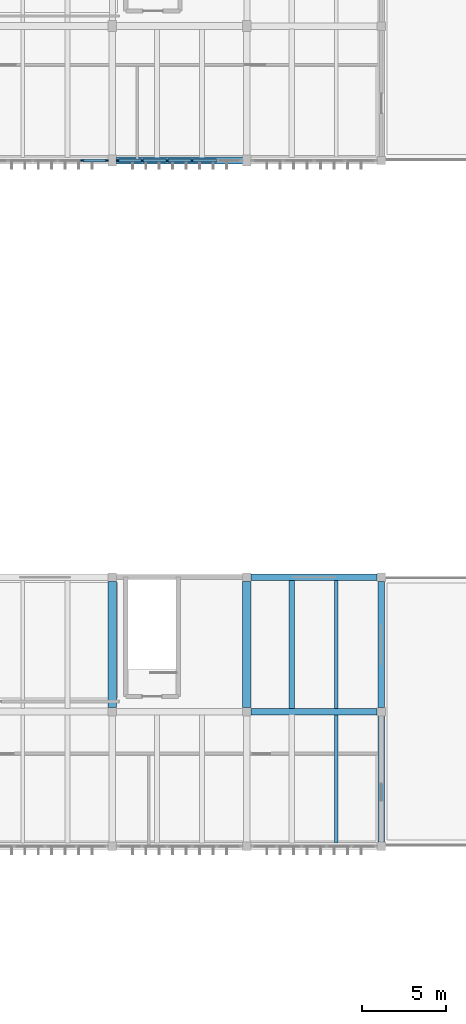
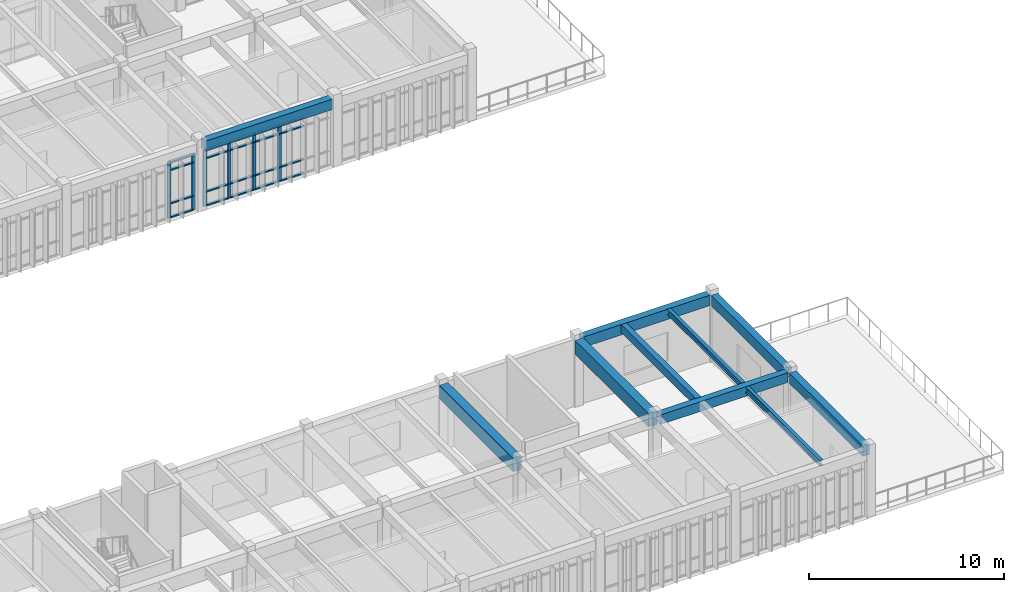
# One storey, part 28 of 72: 26 members, 10 beams, 2 elements without a shape of their own.
"""IFC4 building model written with IfcOpenShell, lengths in metres."""

import ifcopenshell
import ifcopenshell.guid

model = None  # the IFC model being written
_history = None  # IfcOwnerHistory: only IFC2X3 demands one
_inside = {}  # id of a spatial element -> (the spatial element, [elements in it])
_under = {}  # id of a project, library or spatial element -> (it, [spatial elements below it])
_declared = {}  # id of a project -> (the project, [libraries it declares])
_typed = {}  # id of a type object -> (the type object, [elements of that type])
_made_of = {}  # id of a material, layer set ... -> (it, [elements and type objects made of it])


def new_model(schema):
    """Start an empty IFC model of exactly this schema.

    Asked for "IFC4X3", IfcOpenShell would pick the latest addendum, in which some entities
    have other attributes; the version numbers below select the first issue.
    IFC2X3 requires an IfcOwnerHistory on every rooted entity: one is made here for all.
    """
    global model, _history
    if schema == "IFC4X3":
        model = ifcopenshell.file(schema_version=(4, 3, 0, 0))
    else:
        model = ifcopenshell.file(schema=schema)
    _inside.clear()
    _under.clear()
    _declared.clear()
    _typed.clear()
    _made_of.clear()
    _history = None
    if model.schema == "IFC2X3":
        org = make("IfcOrganization", Name="unknown")
        user = make(
            "IfcPersonAndOrganization",
            ThePerson=make("IfcPerson", FamilyName="unknown"),
            TheOrganization=org,
        )
        app = make(
            "IfcApplication",
            ApplicationDeveloper=org,
            Version="unknown",
            ApplicationFullName="unknown",
            ApplicationIdentifier="unknown",
        )
        _history = make(
            "IfcOwnerHistory",
            OwningUser=user,
            OwningApplication=app,
            ChangeAction="ADDED",
            CreationDate=0,
        )
    return model


def make(cls, **values):
    """One entity of the class cls with the attributes given. An attribute that is None is left unset."""
    return model.create_entity(
        cls, **{name: value for name, value in values.items() if value is not None}
    )


def rooted(cls, **values):
    """An entity with a GlobalId (a new one), such as an element, a storey or a relation."""
    return make(cls, GlobalId=ifcopenshell.guid.new(), OwnerHistory=_history, **values)


def si_unit(unit_type, name, prefix=None):
    """IfcSIUnit, for example si_unit("LENGTHUNIT", "METRE", prefix="MILLI")."""
    return make("IfcSIUnit", UnitType=unit_type, Prefix=prefix, Name=name)


def assignment(units):
    """IfcUnitAssignment: the units of a project."""
    return None if units is None else make("IfcUnitAssignment", Units=units)


def point(xyz):
    """IfcCartesianPoint."""
    return None if xyz is None else make("IfcCartesianPoint", Coordinates=xyz)


def direction(xyz):
    """IfcDirection."""
    return None if xyz is None else make("IfcDirection", DirectionRatios=xyz)


def frame(location, z_axis=None, x_axis=None):
    """IfcAxis2Placement3D, a coordinate frame: its origin and axes. An axis left out is left unset."""
    return make(
        "IfcAxis2Placement3D",
        Location=point(location),
        Axis=direction(z_axis),
        RefDirection=direction(x_axis),
    )


def frame_2d(location, x_axis=None):
    """IfcAxis2Placement2D, a coordinate frame in the plane: its origin and x axis."""
    return make(
        "IfcAxis2Placement2D", Location=point(location), RefDirection=direction(x_axis)
    )


def origin():
    """The frame at (0, 0, 0) with its axes left unset."""
    return frame((0.0, 0.0, 0.0))


def origin_2d():
    """The frame at (0, 0) in the plane with its x axis left unset."""
    return frame_2d((0.0, 0.0))


def place(relative_to, where):
    """IfcLocalPlacement: puts the frame where relative to a parent placement (None: the world)."""
    return make(
        "IfcLocalPlacement", PlacementRelTo=relative_to, RelativePlacement=where
    )


def context(
    kind, dimensions, precision=None, world=None, true_north=None, identifier=None
):
    """IfcGeometricRepresentationContext, for example the 3D "Model" context."""
    return make(
        "IfcGeometricRepresentationContext",
        ContextIdentifier=identifier,
        ContextType=kind,
        CoordinateSpaceDimension=dimensions,
        Precision=precision,
        WorldCoordinateSystem=world,
        TrueNorth=true_north,
    )


def subcontext(parent, identifier, kind, view, scale=None):
    """IfcGeometricRepresentationSubContext, for example "Body" below "Model"."""
    return make(
        "IfcGeometricRepresentationSubContext",
        ContextIdentifier=identifier,
        ContextType=kind,
        ParentContext=parent,
        TargetScale=scale,
        TargetView=view,
    )


def project(units=None, contexts=None):
    """IfcProject with its units and contexts."""
    return rooted(
        "IfcProject",
        Name="project",
        RepresentationContexts=contexts,
        UnitsInContext=assignment(units),
    )


def spatial(cls, under=None, at=None, **own):
    """A site, building, storey or space (cls), placed at a placement, below another one or the project."""
    s = rooted(cls, ObjectPlacement=at, **own)
    if under is not None:
        _under.setdefault(under.id(), (under, []))[1].append(s)
    return s


def profile(cls, at=None, kind="AREA", **sizes):
    """A parametric profile (cls). Its sizes go by their IFC names, for example OverallWidth=200.0."""
    return make(cls, ProfileType=kind, Position=at, **sizes)


def rectangle(**sizes):
    """IfcRectangleProfileDef."""
    return profile("IfcRectangleProfileDef", **sizes)


def i_section(**sizes):
    """IfcIShapeProfileDef."""
    return profile("IfcIShapeProfileDef", **sizes)


def extrude(swept, where, along, depth):
    """IfcExtrudedAreaSolid: the profile swept, set in the frame where, extruded along a direction by depth."""
    return make(
        "IfcExtrudedAreaSolid",
        SweptArea=swept,
        Position=where,
        ExtrudedDirection=direction(along),
        Depth=depth,
    )


def shape(context_of_items, identifier, shape_type, items):
    """IfcShapeRepresentation: the items that make up one representation, for example the "Body"."""
    return make(
        "IfcShapeRepresentation",
        ContextOfItems=context_of_items,
        RepresentationIdentifier=identifier,
        RepresentationType=shape_type,
        Items=items,
    )


def material(Name=None, Category=None):
    """IfcMaterial."""
    return make("IfcMaterial", Name=Name, Category=Category)


def material_profile(
    of_material, cross_section, Name=None, Category=None, Priority=None
):
    """IfcMaterialProfile: a cross section and its material."""
    return make(
        "IfcMaterialProfile",
        Name=Name,
        Material=of_material,
        Profile=cross_section,
        Priority=Priority,
        Category=Category,
    )


def profile_set(profiles, Name=None, composite=None):
    """IfcMaterialProfileSet."""
    return make(
        "IfcMaterialProfileSet",
        Name=Name,
        MaterialProfiles=profiles,
        CompositeProfile=composite,
    )


def made_of(thing, what):
    """Note that an element or type object is made of a material, layer set ...; save() writes the relation."""
    if what is not None:
        _made_of.setdefault(what.id(), (what, []))[1].append(thing)
    return thing


def type_object(cls, material=None, **own):
    """A type object (cls), such as IfcWallType, which elements share."""
    return made_of(rooted(cls, **own), material)


def element(
    cls,
    number,
    at=None,
    inside=None,
    cuts=None,
    type_object=None,
    material=None,
    context=None,
    identifier="Body",
    shape_type=None,
    held_by="IfcProductDefinitionShape",
    body=None,
    shapes=None,
    **own,
):
    """One element of the class cls, such as IfcWall. Its Tag is "e" and its number.

    at: its placement. inside: the storey or other place that contains it. cuts: it is an
    opening in that element (IfcRelVoidsElement). A single representation is given by context,
    identifier, shape_type and body (its items); several are given by shapes. held_by: the class
    of the entity that holds the representations. save() writes the other relations.
    """
    e = rooted(cls, Tag="e%d" % number, ObjectPlacement=at, **own)
    if body is not None:
        shapes = [shape(context, identifier, shape_type, body)]
    if shapes is not None:
        e.Representation = make(held_by, Representations=shapes)
    if inside is not None:
        _inside.setdefault(inside.id(), (inside, []))[1].append(e)
    if cuts is not None:
        rooted(
            "IfcRelVoidsElement", RelatingBuildingElement=cuts, RelatedOpeningElement=e
        )
    if type_object is not None:
        _typed.setdefault(type_object.id(), (type_object, []))[1].append(e)
    return made_of(e, material)


def aggregate(whole, parts):
    """IfcRelAggregates: a whole, such as a stair, and the parts it consists of."""
    return rooted("IfcRelAggregates", RelatingObject=whole, RelatedObjects=parts)


def save(model, path):
    """Write the relations noted so far, then the file.

    IfcRelAggregates (storeys below a building ...), IfcRelContainedInSpatialStructure (elements
    in a storey), IfcRelDefinesByType, IfcRelAssociatesMaterial and IfcRelDeclares: one each for
    every whole, place, type object, material and project.
    """
    for whole, parts in _under.values():
        aggregate(whole, parts)
    for where, things in _inside.values():
        rooted(
            "IfcRelContainedInSpatialStructure",
            RelatedElements=things,
            RelatingStructure=where,
        )
    for kind, things in _typed.values():
        rooted("IfcRelDefinesByType", RelatedObjects=things, RelatingType=kind)
    for what, things in _made_of.values():
        rooted("IfcRelAssociatesMaterial", RelatedObjects=things, RelatingMaterial=what)
    for by, libraries in _declared.values():
        rooted("IfcRelDeclares", RelatingContext=by, RelatedDefinitions=libraries)
    model.write(path)


model = new_model("IFC4")

# Units and contexts
model_context = context("Model", 3, precision=1e-05, world=origin(), true_north=direction((0.0, 1.0)))
body_context = subcontext(model_context, "Body", "Model", "MODEL_VIEW")
ifc_project = project(units=[si_unit("LENGTHUNIT", "METRE"), si_unit("AREAUNIT", "SQUARE_METRE"), si_unit("VOLUMEUNIT", "CUBIC_METRE"), si_unit("PLANEANGLEUNIT", "RADIAN"), si_unit("MASSUNIT", "GRAM", prefix="KILO")], contexts=[model_context])

# Site, building, storey
site_placement = place(None, origin())
site = spatial("IfcSite", under=ifc_project, at=site_placement, CompositionType="ELEMENT")
building_placement = place(site_placement, origin())
building = spatial("IfcBuilding", under=site, at=building_placement, Name="Tlaxcora Railside Police Headquarters", CompositionType="ELEMENT")
storey_placement = place(building_placement, frame((0.0, 0.0, 13.5)))
storey = spatial("IfcBuildingStorey", under=building, at=storey_placement, Name="L03", CompositionType="ELEMENT", Elevation=13.5)

# Curtain wall, members
ifc_material_1 = material(Name="Thermally broken low-E insulated glazing", Category="glass")
curtain_wall_type_1 = type_object("IfcCurtainWallType", Name="Unitised Curtain Wall Assembly CW-38", PredefinedType="NOTDEFINED", material=ifc_material_1)
curtain_wall_1_placement = place(storey_placement, origin())
curtain_wall_1 = element("IfcCurtainWall", 1, at=curtain_wall_1_placement, inside=storey, type_object=curtain_wall_type_1, Name="V6 L03 curtain wall 165", PredefinedType="NOTDEFINED")
ifc_material_2 = material(Name="Anodised aluminium framing", Category="aluminium")
ifc_material_profile_1 = material_profile(ifc_material_2, rectangle(XDim=0.074951171875, YDim=0.205078125, at=origin_2d()), Name="AL75X205")
ifc_profile_set_1 = profile_set([ifc_material_profile_1], Name="Anodised aluminium framing")
member_type_1 = type_object("IfcMemberType", Name="Curtain Wall Mullion CW-32", PredefinedType="MULLION", material=ifc_profile_set_1)
member_1_placement = place(storey_placement, frame((133.02001953125, 76.800048828125, 0.0), z_axis=(0.0, 0.0, 1.0), x_axis=(0.0, 1.0, 0.0)))
member_1 = element("IfcMember", 2, at=member_1_placement, type_object=member_type_1, Name="CW mullion 5", PredefinedType="MULLION", context=body_context, shape_type="SweptSolid", body=[
    extrude(rectangle(XDim=0.074951171875, YDim=0.205078125, at=origin_2d()), origin(), (0.0, 0.0, 1.0), 3.52001953125),
])
member_2_placement = place(storey_placement, frame((134.46240234375, 76.800048828125, 0.0), z_axis=(0.0, 0.0, 1.0), x_axis=(0.0, 1.0, 0.0)))
member_2 = element("IfcMember", 3, at=member_2_placement, type_object=member_type_1, Name="CW mullion 6", PredefinedType="MULLION", context=body_context, shape_type="SweptSolid", body=[
    extrude(rectangle(XDim=0.074951171875, YDim=0.205078125, at=origin_2d()), origin(), (0.0, 0.0, 1.0), 3.52001953125),
])

curtain_wall_type_2 = type_object("IfcCurtainWallType", Name="Unitised Curtain Wall Assembly CW-15", PredefinedType="NOTDEFINED", material=ifc_material_1)
curtain_wall_2_placement = place(storey_placement, origin())
curtain_wall_2 = element("IfcCurtainWall", 4, at=curtain_wall_2_placement, inside=storey, type_object=curtain_wall_type_2, Name="V6 L03 curtain wall 166", PredefinedType="NOTDEFINED")
ifc_material_profile_2 = material_profile(ifc_material_2, rectangle(XDim=0.074951171875, YDim=0.199951171875, at=origin_2d()), Name="AL75X200")
ifc_profile_set_2 = profile_set([ifc_material_profile_2], Name="Anodised aluminium framing")
member_type_2 = type_object("IfcMemberType", Name="Curtain Wall Mullion CW-58", PredefinedType="MULLION", material=ifc_profile_set_2)
member_3_placement = place(storey_placement, frame((135.137451171875, 76.800048828125, 0.0), z_axis=(0.0, 0.0, 1.0), x_axis=(0.0, 1.0, 0.0)))
member_3 = element("IfcMember", 5, at=member_3_placement, type_object=member_type_2, Name="CW mullion 1", PredefinedType="MULLION", context=body_context, shape_type="SweptSolid", body=[
    extrude(rectangle(XDim=0.074951171875, YDim=0.199951171875, at=origin_2d()), origin(), (0.0, 0.0, 1.0), 3.52001953125),
])
member_4_placement = place(storey_placement, frame((136.580078125, 76.800048828125, 0.0), z_axis=(0.0, 0.0, 1.0), x_axis=(0.0, 1.0, 0.0)))
member_4 = element("IfcMember", 6, at=member_4_placement, type_object=member_type_2, Name="CW mullion 2", PredefinedType="MULLION", context=body_context, shape_type="SweptSolid", body=[
    extrude(rectangle(XDim=0.074951171875, YDim=0.199951171875, at=origin_2d()), origin(), (0.0, 0.0, 1.0), 3.52001953125),
])
member_5_placement = place(storey_placement, frame((138.06005859375, 76.800048828125, 0.0), z_axis=(0.0, 0.0, 1.0), x_axis=(0.0, 1.0, 0.0)))
member_5 = element("IfcMember", 7, at=member_5_placement, type_object=member_type_2, Name="CW mullion 3", PredefinedType="MULLION", context=body_context, shape_type="SweptSolid", body=[
    extrude(rectangle(XDim=0.074951171875, YDim=0.199951171875, at=origin_2d()), origin(), (0.0, 0.0, 1.0), 3.52001953125),
])
member_6_placement = place(storey_placement, frame((139.5400390625, 76.800048828125, 0.0), z_axis=(0.0, 0.0, 1.0), x_axis=(0.0, 1.0, 0.0)))
member_6 = element("IfcMember", 8, at=member_6_placement, type_object=member_type_2, Name="CW mullion 4", PredefinedType="MULLION", context=body_context, shape_type="SweptSolid", body=[
    extrude(rectangle(XDim=0.074951171875, YDim=0.199951171875, at=origin_2d()), origin(), (0.0, 0.0, 1.0), 3.52001953125),
])
ifc_material_profile_3 = material_profile(ifc_material_2, rectangle(XDim=0.14990234375, YDim=0.074951171875, at=origin_2d()), Name="AL75X150")
ifc_profile_set_3 = profile_set([ifc_material_profile_3], Name="Anodised aluminium framing")
member_type_3 = type_object("IfcMemberType", Name="Curtain Wall Transom CW-28", PredefinedType="USERDEFINED", material=ifc_profile_set_3)
member_7_placement = place(storey_placement, frame((135.175048828125, 76.800048828125, 0.03759765625), z_axis=(1.0, 0.0, 0.0), x_axis=(0.0, 1.0, 0.0)))
member_7 = element("IfcMember", 9, at=member_7_placement, type_object=member_type_3, Name="CW transom 1.1", ObjectType="TRANSOM", PredefinedType="USERDEFINED", context=body_context, shape_type="SweptSolid", body=[
    extrude(rectangle(XDim=0.14990234375, YDim=0.074951171875, at=origin_2d()), origin(), (0.0, 0.0, 1.0), 1.367431640625),
])
member_8_placement = place(storey_placement, frame((135.175048828125, 76.800048828125, 0.89990234375), z_axis=(1.0, 0.0, 0.0), x_axis=(0.0, 1.0, 0.0)))
member_8 = element("IfcMember", 10, at=member_8_placement, type_object=member_type_3, Name="CW transom 1.2", ObjectType="TRANSOM", PredefinedType="USERDEFINED", context=body_context, shape_type="SweptSolid", body=[
    extrude(rectangle(XDim=0.14990234375, YDim=0.074951171875, at=origin_2d()), origin(), (0.0, 0.0, 1.0), 1.367431640625),
])
member_9_placement = place(storey_placement, frame((135.175048828125, 76.800048828125, 2.989990234375), z_axis=(1.0, 0.0, 0.0), x_axis=(0.0, 1.0, 0.0)))
member_9 = element("IfcMember", 11, at=member_9_placement, type_object=member_type_3, Name="CW transom 1.3", ObjectType="TRANSOM", PredefinedType="USERDEFINED", context=body_context, shape_type="SweptSolid", body=[
    extrude(rectangle(XDim=0.14990234375, YDim=0.074951171875, at=origin_2d()), origin(), (0.0, 0.0, 1.0), 1.367431640625),
])
member_10_placement = place(storey_placement, frame((135.175048828125, 76.800048828125, 3.482421875), z_axis=(1.0, 0.0, 0.0), x_axis=(0.0, 1.0, 0.0)))
member_10 = element("IfcMember", 12, at=member_10_placement, type_object=member_type_3, Name="CW transom 1.4", ObjectType="TRANSOM", PredefinedType="USERDEFINED", context=body_context, shape_type="SweptSolid", body=[
    extrude(rectangle(XDim=0.14990234375, YDim=0.074951171875, at=origin_2d()), origin(), (0.0, 0.0, 1.0), 1.367431640625),
])
member_11_placement = place(storey_placement, frame((136.617431640625, 76.800048828125, 0.03759765625), z_axis=(1.0, 0.0, 0.0), x_axis=(0.0, 1.0, 0.0)))
member_11 = element("IfcMember", 13, at=member_11_placement, type_object=member_type_3, Name="CW transom 2.1", ObjectType="TRANSOM", PredefinedType="USERDEFINED", context=body_context, shape_type="SweptSolid", body=[
    extrude(rectangle(XDim=0.14990234375, YDim=0.074951171875, at=origin_2d()), origin(), (0.0, 0.0, 1.0), 1.405029296875),
])
member_12_placement = place(storey_placement, frame((136.617431640625, 76.800048828125, 0.89990234375), z_axis=(1.0, 0.0, 0.0), x_axis=(0.0, 1.0, 0.0)))
member_12 = element("IfcMember", 14, at=member_12_placement, type_object=member_type_3, Name="CW transom 2.2", ObjectType="TRANSOM", PredefinedType="USERDEFINED", context=body_context, shape_type="SweptSolid", body=[
    extrude(rectangle(XDim=0.14990234375, YDim=0.074951171875, at=origin_2d()), origin(), (0.0, 0.0, 1.0), 1.405029296875),
])
member_13_placement = place(storey_placement, frame((136.617431640625, 76.800048828125, 2.989990234375), z_axis=(1.0, 0.0, 0.0), x_axis=(0.0, 1.0, 0.0)))
member_13 = element("IfcMember", 15, at=member_13_placement, type_object=member_type_3, Name="CW transom 2.3", ObjectType="TRANSOM", PredefinedType="USERDEFINED", context=body_context, shape_type="SweptSolid", body=[
    extrude(rectangle(XDim=0.14990234375, YDim=0.074951171875, at=origin_2d()), origin(), (0.0, 0.0, 1.0), 1.405029296875),
])
member_14_placement = place(storey_placement, frame((136.617431640625, 76.800048828125, 3.482421875), z_axis=(1.0, 0.0, 0.0), x_axis=(0.0, 1.0, 0.0)))
member_14 = element("IfcMember", 16, at=member_14_placement, type_object=member_type_3, Name="CW transom 2.4", ObjectType="TRANSOM", PredefinedType="USERDEFINED", context=body_context, shape_type="SweptSolid", body=[
    extrude(rectangle(XDim=0.14990234375, YDim=0.074951171875, at=origin_2d()), origin(), (0.0, 0.0, 1.0), 1.405029296875),
])
member_15_placement = place(storey_placement, frame((138.097412109375, 76.800048828125, 0.03759765625), z_axis=(1.0, 0.0, 0.0), x_axis=(0.0, 1.0, 0.0)))
member_15 = element("IfcMember", 17, at=member_15_placement, type_object=member_type_3, Name="CW transom 3.1", ObjectType="TRANSOM", PredefinedType="USERDEFINED", context=body_context, shape_type="SweptSolid", body=[
    extrude(rectangle(XDim=0.14990234375, YDim=0.074951171875, at=origin_2d()), origin(), (0.0, 0.0, 1.0), 1.405029296875),
])
member_16_placement = place(storey_placement, frame((138.097412109375, 76.800048828125, 0.89990234375), z_axis=(1.0, 0.0, 0.0), x_axis=(0.0, 1.0, 0.0)))
member_16 = element("IfcMember", 18, at=member_16_placement, type_object=member_type_3, Name="CW transom 3.2", ObjectType="TRANSOM", PredefinedType="USERDEFINED", context=body_context, shape_type="SweptSolid", body=[
    extrude(rectangle(XDim=0.14990234375, YDim=0.074951171875, at=origin_2d()), origin(), (0.0, 0.0, 1.0), 1.405029296875),
])
member_17_placement = place(storey_placement, frame((138.097412109375, 76.800048828125, 2.989990234375), z_axis=(1.0, 0.0, 0.0), x_axis=(0.0, 1.0, 0.0)))
member_17 = element("IfcMember", 19, at=member_17_placement, type_object=member_type_3, Name="CW transom 3.3", ObjectType="TRANSOM", PredefinedType="USERDEFINED", context=body_context, shape_type="SweptSolid", body=[
    extrude(rectangle(XDim=0.14990234375, YDim=0.074951171875, at=origin_2d()), origin(), (0.0, 0.0, 1.0), 1.405029296875),
])
member_18_placement = place(storey_placement, frame((138.097412109375, 76.800048828125, 3.482421875), z_axis=(1.0, 0.0, 0.0), x_axis=(0.0, 1.0, 0.0)))
member_18 = element("IfcMember", 20, at=member_18_placement, type_object=member_type_3, Name="CW transom 3.4", ObjectType="TRANSOM", PredefinedType="USERDEFINED", context=body_context, shape_type="SweptSolid", body=[
    extrude(rectangle(XDim=0.14990234375, YDim=0.074951171875, at=origin_2d()), origin(), (0.0, 0.0, 1.0), 1.405029296875),
])
member_19_placement = place(storey_placement, frame((139.577392578125, 76.800048828125, 0.03759765625), z_axis=(1.0, 0.0, 0.0), x_axis=(0.0, 1.0, 0.0)))
member_19 = element("IfcMember", 21, at=member_19_placement, type_object=member_type_3, Name="CW transom 4.1", ObjectType="TRANSOM", PredefinedType="USERDEFINED", context=body_context, shape_type="SweptSolid", body=[
    extrude(rectangle(XDim=0.14990234375, YDim=0.074951171875, at=origin_2d()), origin(), (0.0, 0.0, 1.0), 1.405029296875),
])
member_20_placement = place(storey_placement, frame((139.577392578125, 76.800048828125, 0.89990234375), z_axis=(1.0, 0.0, 0.0), x_axis=(0.0, 1.0, 0.0)))
member_20 = element("IfcMember", 22, at=member_20_placement, type_object=member_type_3, Name="CW transom 4.2", ObjectType="TRANSOM", PredefinedType="USERDEFINED", context=body_context, shape_type="SweptSolid", body=[
    extrude(rectangle(XDim=0.14990234375, YDim=0.074951171875, at=origin_2d()), origin(), (0.0, 0.0, 1.0), 1.405029296875),
])
member_21_placement = place(storey_placement, frame((139.577392578125, 76.800048828125, 2.989990234375), z_axis=(1.0, 0.0, 0.0), x_axis=(0.0, 1.0, 0.0)))
member_21 = element("IfcMember", 23, at=member_21_placement, type_object=member_type_3, Name="CW transom 4.3", ObjectType="TRANSOM", PredefinedType="USERDEFINED", context=body_context, shape_type="SweptSolid", body=[
    extrude(rectangle(XDim=0.14990234375, YDim=0.074951171875, at=origin_2d()), origin(), (0.0, 0.0, 1.0), 1.405029296875),
])
member_22_placement = place(storey_placement, frame((139.577392578125, 76.800048828125, 3.482421875), z_axis=(1.0, 0.0, 0.0), x_axis=(0.0, 1.0, 0.0)))
member_22 = element("IfcMember", 24, at=member_22_placement, type_object=member_type_3, Name="CW transom 4.4", ObjectType="TRANSOM", PredefinedType="USERDEFINED", context=body_context, shape_type="SweptSolid", body=[
    extrude(rectangle(XDim=0.14990234375, YDim=0.074951171875, at=origin_2d()), origin(), (0.0, 0.0, 1.0), 1.405029296875),
])
aggregate(curtain_wall_2, [member_3, member_4, member_5, member_6, member_7, member_8, member_9, member_10, member_11, member_12, member_13, member_14, member_15, member_16, member_17, member_18, member_19, member_20, member_21, member_22])

# Member
ifc_material_profile_4 = material_profile(ifc_material_2, rectangle(XDim=0.155029296875, YDim=0.074951171875, at=origin_2d()), Name="AL75X155")
ifc_profile_set_4 = profile_set([ifc_material_profile_4], Name="Anodised aluminium framing")
member_type_4 = type_object("IfcMemberType", Name="Curtain Wall Transom CW-30", PredefinedType="USERDEFINED", material=ifc_profile_set_4)
member_23_placement = place(storey_placement, frame((133.0576171875, 76.800048828125, 0.03759765625), z_axis=(1.0, 0.0, 0.0), x_axis=(0.0, 1.0, 0.0)))
member_23 = element("IfcMember", 25, at=member_23_placement, type_object=member_type_4, Name="CW transom 5.1", ObjectType="TRANSOM", PredefinedType="USERDEFINED", context=body_context, shape_type="SweptSolid", body=[
    extrude(rectangle(XDim=0.155029296875, YDim=0.074951171875, at=origin_2d()), origin(), (0.0, 0.0, 1.0), 1.367431640625),
])

member_24_placement = place(storey_placement, frame((133.0576171875, 76.800048828125, 0.89990234375), z_axis=(1.0, 0.0, 0.0), x_axis=(0.0, 1.0, 0.0)))
member_24 = element("IfcMember", 26, at=member_24_placement, type_object=member_type_4, Name="CW transom 5.2", ObjectType="TRANSOM", PredefinedType="USERDEFINED", context=body_context, shape_type="SweptSolid", body=[
    extrude(rectangle(XDim=0.155029296875, YDim=0.074951171875, at=origin_2d()), origin(), (0.0, 0.0, 1.0), 1.367431640625),
])

member_25_placement = place(storey_placement, frame((133.0576171875, 76.800048828125, 2.989990234375), z_axis=(1.0, 0.0, 0.0), x_axis=(0.0, 1.0, 0.0)))
member_25 = element("IfcMember", 27, at=member_25_placement, type_object=member_type_4, Name="CW transom 5.3", ObjectType="TRANSOM", PredefinedType="USERDEFINED", context=body_context, shape_type="SweptSolid", body=[
    extrude(rectangle(XDim=0.155029296875, YDim=0.074951171875, at=origin_2d()), origin(), (0.0, 0.0, 1.0), 1.367431640625),
])

member_26_placement = place(storey_placement, frame((133.0576171875, 76.800048828125, 3.482421875), z_axis=(1.0, 0.0, 0.0), x_axis=(0.0, 1.0, 0.0)))
member_26 = element("IfcMember", 28, at=member_26_placement, type_object=member_type_4, Name="CW transom 5.4", ObjectType="TRANSOM", PredefinedType="USERDEFINED", context=body_context, shape_type="SweptSolid", body=[
    extrude(rectangle(XDim=0.155029296875, YDim=0.074951171875, at=origin_2d()), origin(), (0.0, 0.0, 1.0), 1.367431640625),
])

aggregate(curtain_wall_1, [member_1, member_2, member_23, member_24, member_25, member_26])

# Beams
ifc_material_3 = material(Name="Concrete C40/50", Category="concrete")
ifc_material_profile_5 = material_profile(ifc_material_3, rectangle(XDim=0.39990234375, YDim=0.64990234375, at=origin_2d()), Name="RC400X650")
ifc_profile_set_5 = profile_set([ifc_material_profile_5], Name="Concrete C40/50")
beam_type_1 = type_object("IfcBeamType", Name="Perimeter Spandrel Beam BM-46", PredefinedType="SPANDREL", material=ifc_profile_set_5)
for number, where, z_axis, x_axis, name in (
    (29, (135.0400390625, 76.800048828125, 3.864990234375), (1.0, 0.0, 0.0), (0.0, 1.0, 0.0), "V6 L03 X-girder Y=76.8"),
    (30, (143.0400390625, 52.0, 3.864990234375), (1.0, 0.0, 0.0), (0.0, 1.0, 0.0), "V7 L03 X-girder Y=52.0"),
    (31, (150.800048828125, 36.239990234375, 3.864990234375), (0.0, 1.0, 0.0), (-1.0, 0.0, 0.0), "V7 L03 Y-girder X=150.8"),
    (32, (150.800048828125, 44.239990234375, 3.864990234375), (0.0, 1.0, 0.0), (-1.0, 0.0, 0.0), "V7 L03 Y-girder X=150.8"),
):
    element("IfcBeam", number, at=place(storey_placement, frame(where, z_axis=z_axis, x_axis=x_axis)), inside=storey, type_object=beam_type_1, Name=name, PredefinedType="SPANDREL", context=body_context, shape_type="SweptSolid", body=[
        extrude(rectangle(XDim=0.39990234375, YDim=0.64990234375, at=origin_2d()), origin(), (0.0, 0.0, 1.0), 7.52001953125),
    ])
ifc_material_profile_6 = material_profile(ifc_material_3, rectangle(XDim=0.3798828125, YDim=0.60009765625, at=origin_2d()), Name="RC380X600")
ifc_profile_set_6 = profile_set([ifc_material_profile_6], Name="Concrete C40/50")
beam_type_2 = type_object("IfcBeamType", Name="Primary Frame Girder BM-22", PredefinedType="BEAM", material=ifc_profile_set_6)
beam_1_placement = place(storey_placement, frame((143.0400390625, 44.0, 3.889892578125), z_axis=(1.0, 0.0, 0.0), x_axis=(0.0, 1.0, 0.0)))
element("IfcBeam", 33, at=beam_1_placement, inside=storey, type_object=beam_type_2, Name="V7 L03 X-girder Y=44.0", PredefinedType="BEAM", context=body_context, shape_type="SweptSolid", body=[
    extrude(rectangle(XDim=0.3798828125, YDim=0.60009765625, at=origin_2d()), origin(), (0.0, 0.0, 1.0), 7.52001953125),
])
ifc_material_profile_7 = material_profile(ifc_material_3, rectangle(XDim=0.5, YDim=0.85009765625, at=origin_2d()), Name="RC500X850")
ifc_profile_set_7 = profile_set([ifc_material_profile_7], Name="Concrete C40/50")
beam_type_3 = type_object("IfcBeamType", Name="Primary Frame Girder BM-64", PredefinedType="BEAM", material=ifc_profile_set_7)
for number, where, z_axis, x_axis, name in (
    (34, (134.800048828125, 44.239990234375, 3.764892578125), (0.0, 1.0, 0.0), (-1.0, 0.0, 0.0), "V7 L03 Y-girder X=134.8"),
    (35, (142.800048828125, 44.239990234375, 3.764892578125), (0.0, 1.0, 0.0), (-1.0, 0.0, 0.0), "V7 L03 Y-girder X=142.8"),
):
    element("IfcBeam", number, at=place(storey_placement, frame(where, z_axis=z_axis, x_axis=x_axis)), inside=storey, type_object=beam_type_3, Name=name, PredefinedType="BEAM", context=body_context, shape_type="SweptSolid", body=[
        extrude(rectangle(XDim=0.5, YDim=0.85009765625, at=origin_2d()), origin(), (0.0, 0.0, 1.0), 7.52001953125),
    ])
ifc_material_4 = material(Name="Steel ASTM A992 Grade 50", Category="steel")
ifc_material_profile_8 = material_profile(ifc_material_4, i_section(OverallWidth=0.2041015625, OverallDepth=0.35009765625, WebThickness=0.008544921875, FlangeThickness=0.01513671875, at=origin_2d()), Name="W14X48")
ifc_profile_set_8 = profile_set([ifc_material_profile_8], Name="Steel ASTM A992 Grade 50")
beam_type_4 = type_object("IfcBeamType", Name="Secondary Floor Joist BM-65", PredefinedType="JOIST", material=ifc_profile_set_8)
for number, where, z_axis, x_axis, name in (
    (36, (148.13330078125, 36.19189453125, 4.014892578125), (0.0, 1.0, 0.0), (-1.0, 0.0, 0.0), "V7 L03 floor joist X=148.13"),
    (37, (148.13330078125, 44.181884765625, 4.014892578125), (0.0, 1.0, 0.0), (-1.0, 0.0, 0.0), "V7 L03 floor joist X=148.13"),
):
    element("IfcBeam", number, at=place(storey_placement, frame(where, z_axis=z_axis, x_axis=x_axis)), inside=storey, type_object=beam_type_4, Name=name, PredefinedType="JOIST", context=body_context, shape_type="SweptSolid", body=[
        extrude(i_section(OverallWidth=0.2041015625, OverallDepth=0.35009765625, WebThickness=0.008544921875, FlangeThickness=0.01513671875, at=origin_2d()), origin(), (0.0, 0.0, 1.0), 7.626220703125),
    ])
ifc_material_5 = material(Name="Concrete C35/45", Category="concrete")
ifc_material_profile_9 = material_profile(ifc_material_5, rectangle(XDim=0.320068359375, YDim=0.5, at=origin_2d()), Name="RC320X500")
ifc_profile_set_9 = profile_set([ifc_material_profile_9], Name="Concrete C35/45")
beam_type_5 = type_object("IfcBeamType", Name="Secondary Floor Joist BM-88", PredefinedType="JOIST", material=ifc_profile_set_9)
beam_2_placement = place(storey_placement, frame((145.466796875, 44.181884765625, 3.93994140625), z_axis=(0.0, 1.0, 0.0), x_axis=(-1.0, 0.0, 0.0)))
element("IfcBeam", 38, at=beam_2_placement, inside=storey, type_object=beam_type_5, Name="V7 L03 floor joist X=145.47", PredefinedType="JOIST", context=body_context, shape_type="SweptSolid", body=[
    extrude(rectangle(XDim=0.320068359375, YDim=0.5, at=origin_2d()), origin(), (0.0, 0.0, 1.0), 7.626220703125),
])

save(model, "model.ifc")
